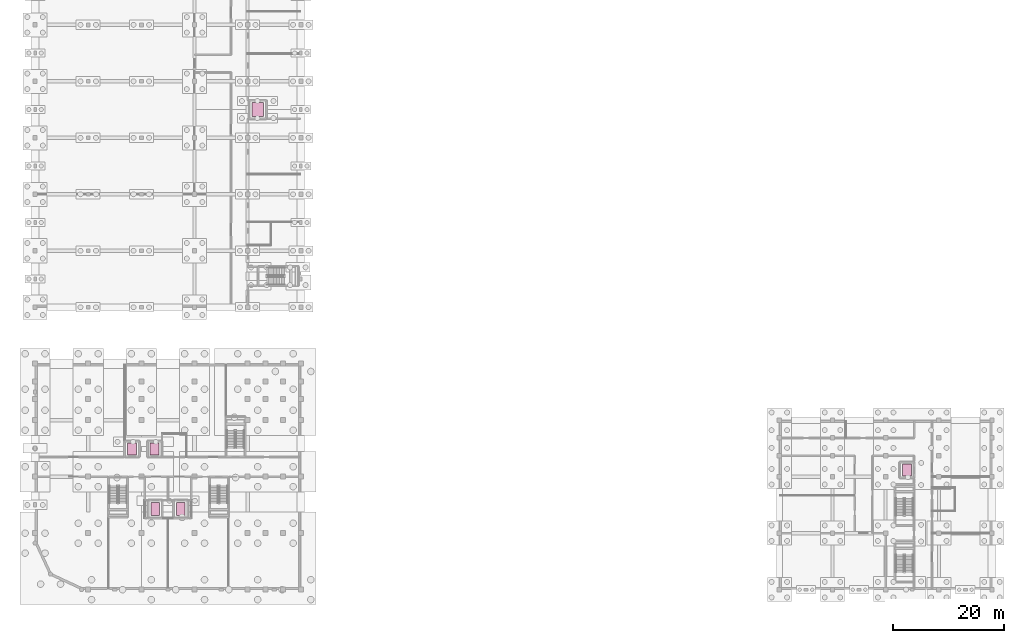
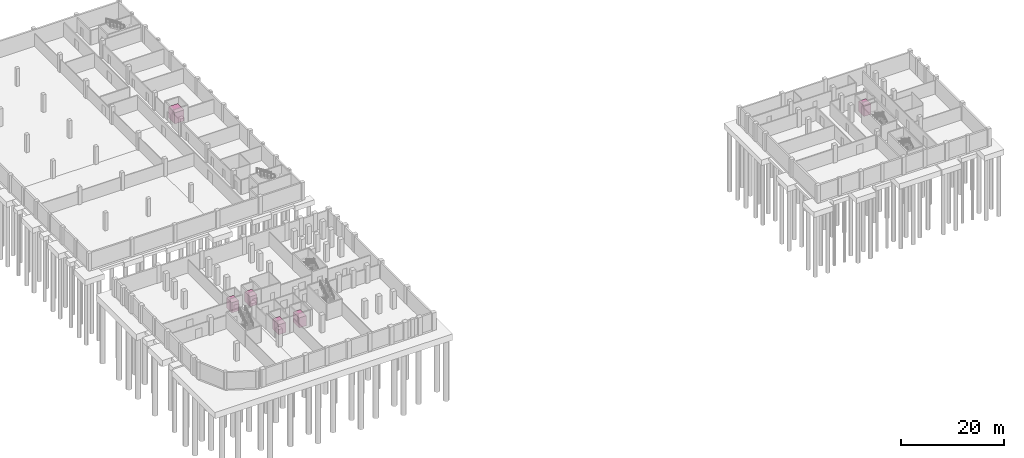
# One storey, part 18 of 18: 6 transport elements.
"""IFC4 building model written with IfcOpenShell, lengths in metres."""

from ifc_helpers import new_model, si_unit, direction, frame, origin, origin_2d, place, context, subcontext, project, spatial, rectangle, extrude, material, type_object, element, save


model = new_model("IFC4")

# Units and contexts
model_context = context("Model", 3, precision=1e-05, world=origin(), true_north=direction((0.0, 1.0)))
body_context = subcontext(model_context, "Body", "Model", "MODEL_VIEW")
ifc_project = project(units=[si_unit("LENGTHUNIT", "METRE"), si_unit("AREAUNIT", "SQUARE_METRE"), si_unit("VOLUMEUNIT", "CUBIC_METRE"), si_unit("PLANEANGLEUNIT", "RADIAN"), si_unit("MASSUNIT", "GRAM", prefix="KILO")], contexts=[model_context])

# Site, building, storey
site_placement = place(None, origin())
site = spatial("IfcSite", under=ifc_project, at=site_placement, CompositionType="ELEMENT")
building_placement = place(site_placement, origin())
building = spatial("IfcBuilding", under=site, at=building_placement, Name="Vondelvale Polytechnic", CompositionType="ELEMENT")
storey_placement = place(building_placement, frame((0.0, 0.0, -4.199951171875)))
storey = spatial("IfcBuildingStorey", under=building, at=storey_placement, Name="B1", CompositionType="ELEMENT", Elevation=-4.199951171875)

# Transport elements
ifc_material = material(Name="Brushed architectural stainless and zinc-coated metal")
transport_element_type_1 = type_object("IfcTransportElementType", Name="LFT-FIRE-1600", PredefinedType="ELEVATOR", material=ifc_material)
for number, where, z_axis, x_axis, name in (
    (1, (21.699951171875, 14.550048828125, 0.050048828125), (0.0, 0.0, 1.0), (1.0, 0.0, 0.0), "Emergency Stretcher Lift 01"),
    (2, (26.300048828125, 14.550048828125, 0.050048828125), (0.0, 0.0, 1.0), (1.0, 0.0, 0.0), "Emergency Stretcher Lift 02"),
):
    element("IfcTransportElement", number, at=place(storey_placement, frame(where, z_axis=z_axis, x_axis=x_axis)), inside=storey, type_object=transport_element_type_1, Name=name, PredefinedType="ELEVATOR", context=body_context, shape_type="SweptSolid", body=[
        extrude(rectangle(XDim=1.60009765625, YDim=2.39990234375, at=origin_2d()), origin(), (0.0, 0.0, 1.0), 2.39990234375),
    ])
transport_element_type_2 = type_object("IfcTransportElementType", Name="LFT-GOODS-2500", PredefinedType="ELEVATOR", material=ifc_material)
transport_element_placement = place(storey_placement, frame((40.199951171875, 86.699951171875, 0.0498046875), z_axis=(0.0, 0.0, 1.0), x_axis=(1.0, 0.0, 0.0)))
element("IfcTransportElement", 3, at=transport_element_placement, inside=storey, type_object=transport_element_type_2, Name="Heavy Workshop Goods Lift 01", PredefinedType="ELEVATOR", context=body_context, shape_type="SweptSolid", body=[
    extrude(rectangle(XDim=2.10009765625, YDim=2.5, at=origin_2d()), origin(), (0.0, 0.0, 1.0), 2.60009765625),
])
transport_element_type_3 = type_object("IfcTransportElementType", Name="LFT-PASS-1350", PredefinedType="ELEVATOR", material=ifc_material)
for number, where, z_axis, x_axis, name in (
    (4, (17.5, 25.39990234375, 0.050048828125), (0.0, 0.0, 1.0), (1.0, 0.0, 0.0), "Passenger Lift 01 (Corner Wing)"),
    (5, (21.60009765625, 25.39990234375, 0.050048828125), (0.0, 0.0, 1.0), (1.0, 0.0, 0.0), "Passenger Lift 02 (Corner Wing)"),
    (6, (157.425048828125, 21.60009765625, 0.050048828125), (0.0, 0.0, 1.0), (1.0, 0.0, 0.0), "Passenger Lift 03 (Lecture Wing)"),
):
    element("IfcTransportElement", number, at=place(storey_placement, frame(where, z_axis=z_axis, x_axis=x_axis)), inside=storey, type_object=transport_element_type_3, Name=name, PredefinedType="ELEVATOR", context=body_context, shape_type="SweptSolid", body=[
        extrude(rectangle(XDim=1.60009765625, YDim=2.10009765625, at=origin_2d()), origin(), (0.0, 0.0, 1.0), 2.39990234375),
    ])

save(model, "model.ifc")
